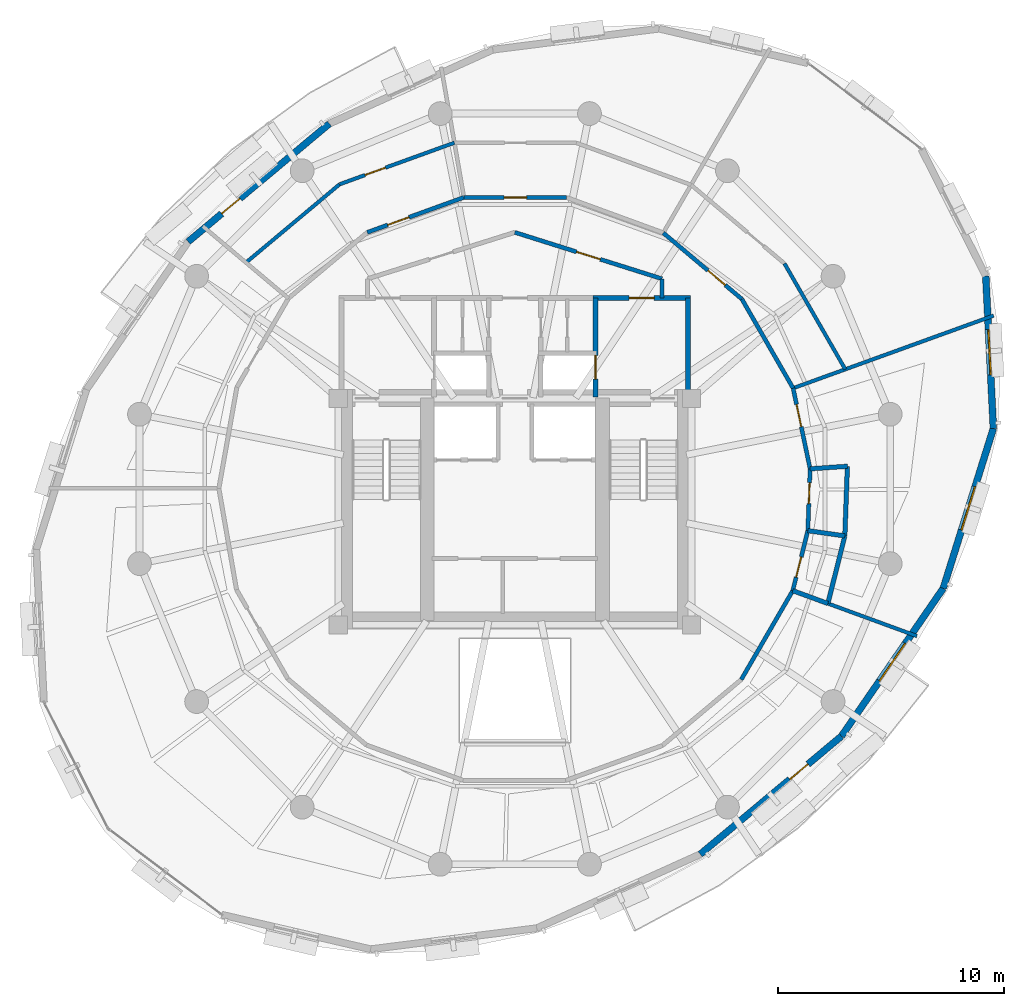
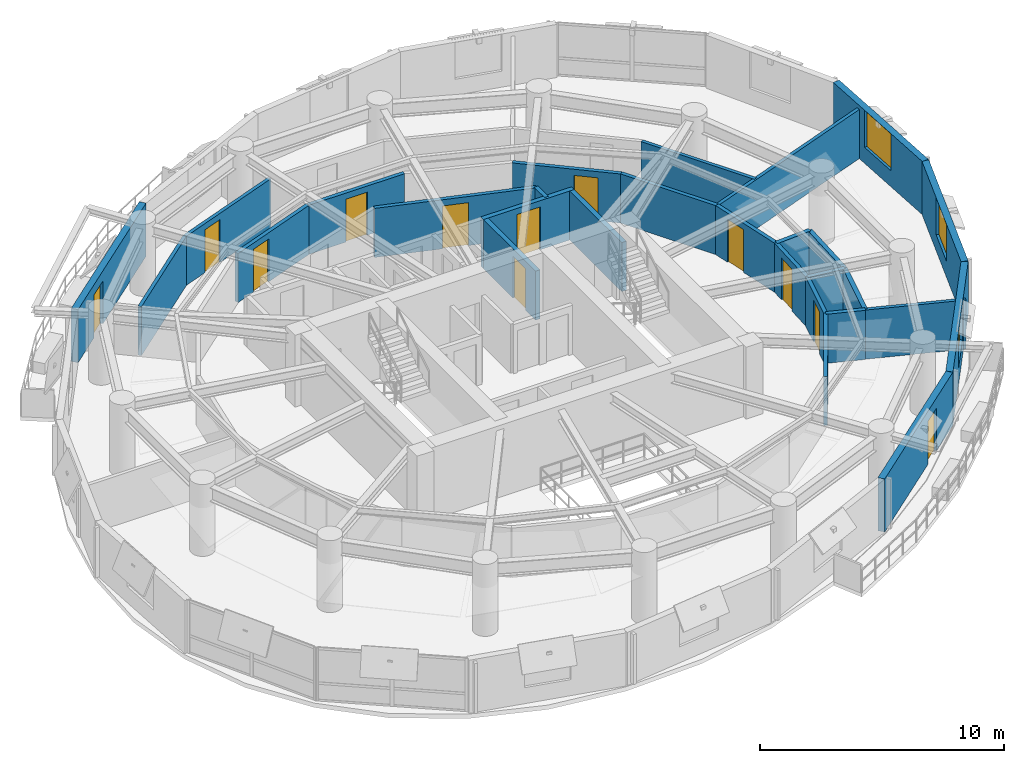
# One storey, part 9 of 12: 28 walls, 12 doors, 3 windows, 15 openings.
"""IFC4 building model written with IfcOpenShell, lengths in metres."""

import ifcopenshell
import ifcopenshell.guid

model = None  # the IFC model being written
_history = None  # IfcOwnerHistory: only IFC2X3 demands one
_inside = {}  # id of a spatial element -> (the spatial element, [elements in it])
_under = {}  # id of a project, library or spatial element -> (it, [spatial elements below it])
_declared = {}  # id of a project -> (the project, [libraries it declares])
_typed = {}  # id of a type object -> (the type object, [elements of that type])
_made_of = {}  # id of a material, layer set ... -> (it, [elements and type objects made of it])


def new_model(schema):
    """Start an empty IFC model of exactly this schema.

    Asked for "IFC4X3", IfcOpenShell would pick the latest addendum, in which some entities
    have other attributes; the version numbers below select the first issue.
    IFC2X3 requires an IfcOwnerHistory on every rooted entity: one is made here for all.
    """
    global model, _history
    if schema == "IFC4X3":
        model = ifcopenshell.file(schema_version=(4, 3, 0, 0))
    else:
        model = ifcopenshell.file(schema=schema)
    _inside.clear()
    _under.clear()
    _declared.clear()
    _typed.clear()
    _made_of.clear()
    _history = None
    if model.schema == "IFC2X3":
        org = make("IfcOrganization", Name="unknown")
        user = make(
            "IfcPersonAndOrganization",
            ThePerson=make("IfcPerson", FamilyName="unknown"),
            TheOrganization=org,
        )
        app = make(
            "IfcApplication",
            ApplicationDeveloper=org,
            Version="unknown",
            ApplicationFullName="unknown",
            ApplicationIdentifier="unknown",
        )
        _history = make(
            "IfcOwnerHistory",
            OwningUser=user,
            OwningApplication=app,
            ChangeAction="ADDED",
            CreationDate=0,
        )
    return model


def make(cls, **values):
    """One entity of the class cls with the attributes given. An attribute that is None is left unset."""
    return model.create_entity(
        cls, **{name: value for name, value in values.items() if value is not None}
    )


def rooted(cls, **values):
    """An entity with a GlobalId (a new one), such as an element, a storey or a relation."""
    return make(cls, GlobalId=ifcopenshell.guid.new(), OwnerHistory=_history, **values)


def si_unit(unit_type, name, prefix=None):
    """IfcSIUnit, for example si_unit("LENGTHUNIT", "METRE", prefix="MILLI")."""
    return make("IfcSIUnit", UnitType=unit_type, Prefix=prefix, Name=name)


def assignment(units):
    """IfcUnitAssignment: the units of a project."""
    return None if units is None else make("IfcUnitAssignment", Units=units)


def point(xyz):
    """IfcCartesianPoint."""
    return None if xyz is None else make("IfcCartesianPoint", Coordinates=xyz)


def direction(xyz):
    """IfcDirection."""
    return None if xyz is None else make("IfcDirection", DirectionRatios=xyz)


def frame(location, z_axis=None, x_axis=None):
    """IfcAxis2Placement3D, a coordinate frame: its origin and axes. An axis left out is left unset."""
    return make(
        "IfcAxis2Placement3D",
        Location=point(location),
        Axis=direction(z_axis),
        RefDirection=direction(x_axis),
    )


def frame_2d(location, x_axis=None):
    """IfcAxis2Placement2D, a coordinate frame in the plane: its origin and x axis."""
    return make(
        "IfcAxis2Placement2D", Location=point(location), RefDirection=direction(x_axis)
    )


def origin():
    """The frame at (0, 0, 0) with its axes left unset."""
    return frame((0.0, 0.0, 0.0))


def place(relative_to, where):
    """IfcLocalPlacement: puts the frame where relative to a parent placement (None: the world)."""
    return make(
        "IfcLocalPlacement", PlacementRelTo=relative_to, RelativePlacement=where
    )


def context(
    kind, dimensions, precision=None, world=None, true_north=None, identifier=None
):
    """IfcGeometricRepresentationContext, for example the 3D "Model" context."""
    return make(
        "IfcGeometricRepresentationContext",
        ContextIdentifier=identifier,
        ContextType=kind,
        CoordinateSpaceDimension=dimensions,
        Precision=precision,
        WorldCoordinateSystem=world,
        TrueNorth=true_north,
    )


def subcontext(parent, identifier, kind, view, scale=None):
    """IfcGeometricRepresentationSubContext, for example "Body" below "Model"."""
    return make(
        "IfcGeometricRepresentationSubContext",
        ContextIdentifier=identifier,
        ContextType=kind,
        ParentContext=parent,
        TargetScale=scale,
        TargetView=view,
    )


def project(units=None, contexts=None):
    """IfcProject with its units and contexts."""
    return rooted(
        "IfcProject",
        Name="project",
        RepresentationContexts=contexts,
        UnitsInContext=assignment(units),
    )


def spatial(cls, under=None, at=None, **own):
    """A site, building, storey or space (cls), placed at a placement, below another one or the project."""
    s = rooted(cls, ObjectPlacement=at, **own)
    if under is not None:
        _under.setdefault(under.id(), (under, []))[1].append(s)
    return s


def profile(cls, at=None, kind="AREA", **sizes):
    """A parametric profile (cls). Its sizes go by their IFC names, for example OverallWidth=200.0."""
    return make(cls, ProfileType=kind, Position=at, **sizes)


def rectangle(**sizes):
    """IfcRectangleProfileDef."""
    return profile("IfcRectangleProfileDef", **sizes)


def extrude(swept, where, along, depth):
    """IfcExtrudedAreaSolid: the profile swept, set in the frame where, extruded along a direction by depth."""
    return make(
        "IfcExtrudedAreaSolid",
        SweptArea=swept,
        Position=where,
        ExtrudedDirection=direction(along),
        Depth=depth,
    )


def shape(context_of_items, identifier, shape_type, items):
    """IfcShapeRepresentation: the items that make up one representation, for example the "Body"."""
    return make(
        "IfcShapeRepresentation",
        ContextOfItems=context_of_items,
        RepresentationIdentifier=identifier,
        RepresentationType=shape_type,
        Items=items,
    )


def material(Name=None, Category=None):
    """IfcMaterial."""
    return make("IfcMaterial", Name=Name, Category=Category)


def layer(
    of_material, thickness, ventilated=None, Name=None, Category=None, Priority=None
):
    """IfcMaterialLayer: one layer of a wall or slab, of a material (None: an air gap)."""
    return make(
        "IfcMaterialLayer",
        Material=of_material,
        LayerThickness=thickness,
        IsVentilated=ventilated,
        Name=Name,
        Category=Category,
        Priority=Priority,
    )


def layer_set(layers, Name=None):
    """IfcMaterialLayerSet."""
    return make("IfcMaterialLayerSet", MaterialLayers=layers, LayerSetName=Name)


def made_of(thing, what):
    """Note that an element or type object is made of a material, layer set ...; save() writes the relation."""
    if what is not None:
        _made_of.setdefault(what.id(), (what, []))[1].append(thing)
    return thing


def type_object(cls, material=None, **own):
    """A type object (cls), such as IfcWallType, which elements share."""
    return made_of(rooted(cls, **own), material)


def element(
    cls,
    number,
    at=None,
    inside=None,
    cuts=None,
    type_object=None,
    material=None,
    context=None,
    identifier="Body",
    shape_type=None,
    held_by="IfcProductDefinitionShape",
    body=None,
    shapes=None,
    **own,
):
    """One element of the class cls, such as IfcWall. Its Tag is "e" and its number.

    at: its placement. inside: the storey or other place that contains it. cuts: it is an
    opening in that element (IfcRelVoidsElement). A single representation is given by context,
    identifier, shape_type and body (its items); several are given by shapes. held_by: the class
    of the entity that holds the representations. save() writes the other relations.
    """
    e = rooted(cls, Tag="e%d" % number, ObjectPlacement=at, **own)
    if body is not None:
        shapes = [shape(context, identifier, shape_type, body)]
    if shapes is not None:
        e.Representation = make(held_by, Representations=shapes)
    if inside is not None:
        _inside.setdefault(inside.id(), (inside, []))[1].append(e)
    if cuts is not None:
        rooted(
            "IfcRelVoidsElement", RelatingBuildingElement=cuts, RelatedOpeningElement=e
        )
    if type_object is not None:
        _typed.setdefault(type_object.id(), (type_object, []))[1].append(e)
    return made_of(e, material)


def fill(opening, filler):
    """IfcRelFillsElement: the door or window that sits in an opening."""
    return rooted(
        "IfcRelFillsElement",
        RelatingOpeningElement=opening,
        RelatedBuildingElement=filler,
    )


def aggregate(whole, parts):
    """IfcRelAggregates: a whole, such as a stair, and the parts it consists of."""
    return rooted("IfcRelAggregates", RelatingObject=whole, RelatedObjects=parts)


def save(model, path):
    """Write the relations noted so far, then the file.

    IfcRelAggregates (storeys below a building ...), IfcRelContainedInSpatialStructure (elements
    in a storey), IfcRelDefinesByType, IfcRelAssociatesMaterial and IfcRelDeclares: one each for
    every whole, place, type object, material and project.
    """
    for whole, parts in _under.values():
        aggregate(whole, parts)
    for where, things in _inside.values():
        rooted(
            "IfcRelContainedInSpatialStructure",
            RelatedElements=things,
            RelatingStructure=where,
        )
    for kind, things in _typed.values():
        rooted("IfcRelDefinesByType", RelatedObjects=things, RelatingType=kind)
    for what, things in _made_of.values():
        rooted("IfcRelAssociatesMaterial", RelatedObjects=things, RelatingMaterial=what)
    for by, libraries in _declared.values():
        rooted("IfcRelDeclares", RelatingContext=by, RelatedDefinitions=libraries)
    model.write(path)


model = new_model("IFC4")

# Units and contexts
model_context = context("Model", 3, precision=1e-05, world=origin(), true_north=direction((0.0, 1.0)))
body_context = subcontext(model_context, "Body", "Model", "MODEL_VIEW")
ifc_project = project(units=[si_unit("LENGTHUNIT", "METRE"), si_unit("AREAUNIT", "SQUARE_METRE"), si_unit("VOLUMEUNIT", "CUBIC_METRE"), si_unit("PLANEANGLEUNIT", "RADIAN"), si_unit("MASSUNIT", "GRAM", prefix="KILO"), si_unit("THERMODYNAMICTEMPERATUREUNIT", "KELVIN"), si_unit("POWERUNIT", "WATT")], contexts=[model_context])

# Site, building, storey
site_placement = place(None, origin())
site = spatial("IfcSite", under=ifc_project, at=site_placement, CompositionType="ELEMENT")
building_placement = place(site_placement, origin())
building = spatial("IfcBuilding", under=site, at=building_placement, Name="Ocrelia Relay Tower", CompositionType="ELEMENT")
storey_placement = place(building_placement, frame((0.0, 0.0, 198.800048828125)))
storey = spatial("IfcBuildingStorey", under=building, at=storey_placement, Name="L48", CompositionType="ELEMENT", Elevation=198.800048828125)

# Wall
ifc_material_1 = material(Name="Gypsum Fireboard Partition EI60", Category="gypsum")
ifc_layer_1 = layer(ifc_material_1, 0.179931640625, Name="Gypsum Fireboard Partition EI60")
ifc_layer_set_1 = layer_set([ifc_layer_1], Name="Gypsum Fireboard Partition EI60")
wall_type_1 = type_object("IfcWallType", Name="W-CORR-EI60-180", PredefinedType="PARTITIONING", material=ifc_layer_set_1)
wall_1_placement = place(storey_placement, frame((40.5, 35.280029296875, 0.0), z_axis=(0.0, 0.0, 1.0), x_axis=(0.0, -1.0, 0.0)))
element("IfcWall", 1, at=wall_1_placement, inside=storey, type_object=wall_type_1, Name="L48 Smoke Lobby East Return", PredefinedType="PARTITIONING", context=body_context, shape_type="SweptSolid", body=[
    extrude(rectangle(XDim=0.85009765625, YDim=0.179931640625, at=frame_2d((0.425048828125, 0.0))), origin(), (0.0, 0.0, 1.0), 2.4599609375),
])

# Wall, opening, door
wall_2_placement = place(storey_placement, frame((34.0, 37.330078125, 0.0), z_axis=(0.0, 0.0, 1.0), x_axis=(0.953691418528, -0.300786765376, 0.0)))
wall_2 = element("IfcWall", 2, at=wall_2_placement, inside=storey, type_object=wall_type_1, Name="L48 North Smoke Lobby E Screen Wall", PredefinedType="PARTITIONING", context=body_context, shape_type="SweptSolid", body=[
    extrude(rectangle(XDim=6.815673828125, YDim=0.179931640625, at=frame_2d((3.40771484375, 0.0))), origin(), (0.0, 0.0, 1.0), 2.4599609375),
])
opening_1_placement = place(wall_2_placement, frame((2.85791015625, 0.0, 0.0)))
opening_1 = element("IfcOpeningElement", 3, at=opening_1_placement, cuts=wall_2, Name="Opening D-FD60", PredefinedType="OPENING", context=body_context, shape_type="SweptSolid", body=[
    extrude(rectangle(XDim=1.10009765625, YDim=2.14990234375, at=frame_2d((0.550048828125, 1.074951171875))), frame((0.0, 0.10009765625, 0.0), z_axis=(0.0, -1.0, 0.0), x_axis=(1.0, 0.0, 0.0)), (0.0, 0.0, 1.0), 0.199951171875),
])
ifc_material_2 = material(Name="Timber-core 60-min acoustic fire door", Category="wood")
door_type_1 = type_object("IfcDoorType", Name="DR-LOBBY-FD60-1100", OperationType="NOTDEFINED", PredefinedType="DOOR", material=ifc_material_2)
door_1_placement = place(opening_1_placement, origin())
door_1 = element("IfcDoor", 4, at=door_1_placement, inside=storey, type_object=door_type_1, Name="L48 North Smoke Lobby E Fire Door", OperationType="SINGLE_SWING_RIGHT", OverallHeight=2.14990234375, OverallWidth=1.10009765625, PredefinedType="DOOR", context=body_context, shape_type="SweptSolid", body=[
    extrude(rectangle(XDim=1.10009765625, YDim=2.14990234375, at=frame_2d((0.550048828125, 1.074951171875))), frame((0.0, 0.02490234375, 0.0), z_axis=(0.0, -1.0, 0.0), x_axis=(1.0, 0.0, 0.0)), (0.0, 0.0, 1.0), 0.050048828125),
])
fill(opening_1, door_1)

wall_3_placement = place(storey_placement, frame((46.27392578125, 21.50830078125, 0.0), z_axis=(0.0, 0.0, 1.0), x_axis=(0.243649676588, 0.96986330743, 0.0)))
wall_3 = element("IfcWall", 5, at=wall_3_placement, inside=storey, type_object=wall_type_1, Name="L48 Staff Toilet Corridor Wall", PredefinedType="PARTITIONING", context=body_context, shape_type="SweptSolid", body=[
    extrude(rectangle(XDim=2.732421875, YDim=0.179931640625, at=frame_2d((1.3662109375, 0.0))), origin(), (0.0, 0.0, 1.0), 2.4599609375),
])
opening_2_placement = place(wall_3_placement, frame((0.61572265625, 0.0, 0.0)))
opening_2 = element("IfcOpeningElement", 6, at=opening_2_placement, cuts=wall_3, Name="Opening D-WC92", PredefinedType="OPENING", context=body_context, shape_type="SweptSolid", body=[
    extrude(rectangle(XDim=0.919921875, YDim=2.10009765625, at=frame_2d((0.4599609375, 1.050048828125))), frame((0.0, 0.10009765625, 0.0), z_axis=(0.0, -1.0, 0.0), x_axis=(1.0, 0.0, 0.0)), (0.0, 0.0, 1.0), 0.199951171875),
])
ifc_material_3 = material(Name="Laminate washroom door", Category="wood")
door_type_2 = type_object("IfcDoorType", Name="DR-WC-920", OperationType="NOTDEFINED", PredefinedType="DOOR", material=ifc_material_3)
door_2_placement = place(opening_2_placement, origin())
door_2 = element("IfcDoor", 7, at=door_2_placement, inside=storey, type_object=door_type_2, Name="L48 Staff Toilet Door", OperationType="SINGLE_SWING_LEFT", OverallHeight=2.10009765625, OverallWidth=0.919921875, PredefinedType="DOOR", context=body_context, shape_type="SweptSolid", body=[
    extrude(rectangle(XDim=0.919921875, YDim=2.10009765625, at=frame_2d((0.4599609375, 1.050048828125))), frame((0.0, 0.02490234375, 0.0), z_axis=(0.0, -1.0, 0.0), x_axis=(1.0, 0.0, 0.0)), (0.0, 0.0, 1.0), 0.050048828125),
])
fill(opening_2, door_2)

wall_4_placement = place(storey_placement, frame((46.939697265625, 24.158447265625, 0.0), z_axis=(0.0, 0.0, 1.0), x_axis=(0.036634904667, 0.999328716569, 0.0)))
wall_4 = element("IfcWall", 8, at=wall_4_placement, inside=storey, type_object=wall_type_1, Name="L48 Accessible Toilet Corridor Wall", PredefinedType="PARTITIONING", context=body_context, shape_type="SweptSolid", body=[
    extrude(rectangle(XDim=2.732421875, YDim=0.179931640625, at=frame_2d((1.3662109375, 0.0))), origin(), (0.0, 0.0, 1.0), 2.4599609375),
])
opening_3_placement = place(wall_4_placement, frame((1.19677734375, 0.0, 0.0)))
opening_3 = element("IfcOpeningElement", 9, at=opening_3_placement, cuts=wall_4, Name="Opening D-WC92", PredefinedType="OPENING", context=body_context, shape_type="SweptSolid", body=[
    extrude(rectangle(XDim=0.919921875, YDim=2.10009765625, at=frame_2d((0.4599609375, 1.050048828125))), frame((0.0, 0.10009765625, 0.0), z_axis=(0.0, -1.0, 0.0), x_axis=(1.0, 0.0, 0.0)), (0.0, 0.0, 1.0), 0.199951171875),
])
door_3_placement = place(opening_3_placement, origin())
door_3 = element("IfcDoor", 10, at=door_3_placement, inside=storey, type_object=door_type_2, Name="L48 Accessible Toilet Door", OperationType="SINGLE_SWING_RIGHT", OverallHeight=2.10009765625, OverallWidth=0.919921875, PredefinedType="DOOR", context=body_context, shape_type="SweptSolid", body=[
    extrude(rectangle(XDim=0.919921875, YDim=2.10009765625, at=frame_2d((0.4599609375, 1.050048828125))), frame((0.0, 0.02490234375, 0.0), z_axis=(0.0, -1.0, 0.0), x_axis=(1.0, 0.0, 0.0)), (0.0, 0.0, 1.0), 0.050048828125),
])
fill(opening_3, door_3)

wall_5_placement = place(storey_placement, frame((47.039794921875, 26.888916015625, 0.0), z_axis=(0.0, 0.0, 1.0), x_axis=(-0.206223549204, 0.978504904308, 0.0)))
wall_5 = element("IfcWall", 11, at=wall_5_placement, inside=storey, type_object=wall_type_1, Name="L48 Spectrum Operations Office A Corridor Partition 1", PredefinedType="PARTITIONING", context=body_context, shape_type="SweptSolid", body=[
    extrude(rectangle(XDim=3.637939453125, YDim=0.179931640625, at=frame_2d((1.81884765625, 0.0))), origin(), (0.0, 0.0, 1.0), 2.4599609375),
])
opening_4_placement = place(wall_5_placement, frame((1.903564453125, 0.0, 0.0)))
opening_4 = element("IfcOpeningElement", 12, at=opening_4_placement, cuts=wall_5, Name="Opening D-RM100", PredefinedType="OPENING", context=body_context, shape_type="SweptSolid", body=[
    extrude(rectangle(XDim=1.0, YDim=2.14990234375, at=frame_2d((0.5, 1.074951171875))), frame((0.0, 0.10009765625, 0.0), z_axis=(0.0, -1.0, 0.0), x_axis=(1.0, 0.0, 0.0)), (0.0, 0.0, 1.0), 0.199951171875),
])
ifc_material_4 = material(Name="Acoustic oak veneer fire door", Category="wood")
door_type_3 = type_object("IfcDoorType", Name="DR-ROOM-FD60-1000", OperationType="NOTDEFINED", PredefinedType="DOOR", material=ifc_material_4)
door_4_placement = place(opening_4_placement, origin())
door_4 = element("IfcDoor", 13, at=door_4_placement, inside=storey, type_object=door_type_3, Name="L48 Spectrum Operations Office A Entrance Door", OperationType="SINGLE_SWING_LEFT", OverallHeight=2.14990234375, OverallWidth=1.0, PredefinedType="DOOR", context=body_context, shape_type="SweptSolid", body=[
    extrude(rectangle(XDim=1.0, YDim=2.14990234375, at=frame_2d((0.5, 1.074951171875))), frame((0.0, 0.02490234375, 0.0), z_axis=(0.0, -1.0, 0.0), x_axis=(1.0, 0.0, 0.0)), (0.0, 0.0, 1.0), 0.050048828125),
])
fill(opening_4, door_4)

# Wall
wall_6_placement = place(storey_placement, frame((46.28955078125, 30.44873046875, 0.0), z_axis=(0.0, 0.0, 1.0), x_axis=(-0.498477187347, 0.866902816753, 0.0)))
element("IfcWall", 14, at=wall_6_placement, inside=storey, type_object=wall_type_1, Name="L48 Telemetry Office B Corridor Partition 1", PredefinedType="PARTITIONING", context=body_context, shape_type="SweptSolid", body=[
    extrude(rectangle(XDim=4.539306640625, YDim=0.179931640625, at=frame_2d((2.26953125, 0.0))), origin(), (0.0, 0.0, 1.0), 2.4599609375),
])

# Wall, opening, door
wall_7_placement = place(storey_placement, frame((44.02685546875, 34.3837890625, 0.0), z_axis=(0.0, 0.0, 1.0), x_axis=(-0.764922355877, 0.64412249571, 0.0)))
wall_7 = element("IfcWall", 15, at=wall_7_placement, inside=storey, type_object=wall_type_1, Name="L48 Telemetry Office B Corridor Partition 2", PredefinedType="PARTITIONING", context=body_context, shape_type="SweptSolid", body=[
    extrude(rectangle(XDim=4.539306640625, YDim=0.179931640625, at=frame_2d((2.26953125, 0.0))), origin(), (0.0, 0.0, 1.0), 2.4599609375),
])
opening_5_placement = place(wall_7_placement, frame((0.959716796875, 0.0, 0.0)))
opening_5 = element("IfcOpeningElement", 16, at=opening_5_placement, cuts=wall_7, Name="Opening D-RM100", PredefinedType="OPENING", context=body_context, shape_type="SweptSolid", body=[
    extrude(rectangle(XDim=1.0, YDim=2.14990234375, at=frame_2d((0.5, 1.074951171875))), frame((0.0, 0.10009765625, 0.0), z_axis=(0.0, -1.0, 0.0), x_axis=(1.0, 0.0, 0.0)), (0.0, 0.0, 1.0), 0.199951171875),
])
door_5_placement = place(opening_5_placement, origin())
door_5 = element("IfcDoor", 17, at=door_5_placement, inside=storey, type_object=door_type_3, Name="L48 Telemetry Office B Entrance Door", OperationType="SINGLE_SWING_RIGHT", OverallHeight=2.14990234375, OverallWidth=1.0, PredefinedType="DOOR", context=body_context, shape_type="SweptSolid", body=[
    extrude(rectangle(XDim=1.0, YDim=2.14990234375, at=frame_2d((0.5, 1.074951171875))), frame((0.0, 0.02490234375, 0.0), z_axis=(0.0, -1.0, 0.0), x_axis=(1.0, 0.0, 0.0)), (0.0, 0.0, 1.0), 0.050048828125),
])
fill(opening_5, door_5)

wall_8_placement = place(storey_placement, frame((36.2919921875, 38.867431640625, 0.0), z_axis=(0.0, 0.0, 1.0), x_axis=(-0.999998424768, 0.001774954175, 0.0)))
wall_8 = element("IfcWall", 18, at=wall_8_placement, inside=storey, type_object=wall_type_1, Name="L48 Security Office C Corridor Partition 2", PredefinedType="PARTITIONING", context=body_context, shape_type="SweptSolid", body=[
    extrude(rectangle(XDim=4.5390625, YDim=0.179931640625, at=frame_2d((2.26953125, 0.0))), origin(), (0.0, 0.0, 1.0), 2.4599609375),
])
opening_6_placement = place(wall_8_placement, frame((1.76953125, 0.0, 0.0)))
opening_6 = element("IfcOpeningElement", 19, at=opening_6_placement, cuts=wall_8, Name="Opening D-RM100", PredefinedType="OPENING", context=body_context, shape_type="SweptSolid", body=[
    extrude(rectangle(XDim=1.0, YDim=2.14990234375, at=frame_2d((0.5, 1.074951171875))), frame((0.0, 0.10009765625, 0.0), z_axis=(0.0, -1.0, 0.0), x_axis=(1.0, 0.0, 0.0)), (0.0, 0.0, 1.0), 0.199951171875),
])
door_6_placement = place(opening_6_placement, origin())
door_6 = element("IfcDoor", 20, at=door_6_placement, inside=storey, type_object=door_type_3, Name="L48 Security Office C Entrance Door", OperationType="SINGLE_SWING_RIGHT", OverallHeight=2.14990234375, OverallWidth=1.0, PredefinedType="DOOR", context=body_context, shape_type="SweptSolid", body=[
    extrude(rectangle(XDim=1.0, YDim=2.14990234375, at=frame_2d((0.5, 1.074951171875))), frame((0.0, 0.02490234375, 0.0), z_axis=(0.0, -1.0, 0.0), x_axis=(1.0, 0.0, 0.0)), (0.0, 0.0, 1.0), 0.050048828125),
])
fill(opening_6, door_6)

wall_9_placement = place(storey_placement, frame((31.7529296875, 38.87548828125, 0.0), z_axis=(0.0, 0.0, 1.0), x_axis=(-0.940277723182, -0.340408289099, 0.0)))
wall_9 = element("IfcWall", 21, at=wall_9_placement, inside=storey, type_object=wall_type_1, Name="L48 Routing Office D Corridor Partition 1", PredefinedType="PARTITIONING", context=body_context, shape_type="SweptSolid", body=[
    extrude(rectangle(XDim=4.5390625, YDim=0.179931640625, at=frame_2d((2.26953125, 0.0))), origin(), (0.0, 0.0, 1.0), 2.4599609375),
])
opening_7_placement = place(wall_9_placement, frame((2.579345703125, 0.0, 0.0)))
opening_7 = element("IfcOpeningElement", 22, at=opening_7_placement, cuts=wall_9, Name="Opening D-RM100", PredefinedType="OPENING", context=body_context, shape_type="SweptSolid", body=[
    extrude(rectangle(XDim=1.0, YDim=2.14990234375, at=frame_2d((0.5, 1.074951171875))), frame((0.0, 0.10009765625, 0.0), z_axis=(0.0, -1.0, 0.0), x_axis=(1.0, 0.0, 0.0)), (0.0, 0.0, 1.0), 0.199951171875),
])
door_7_placement = place(opening_7_placement, origin())
door_7 = element("IfcDoor", 23, at=door_7_placement, inside=storey, type_object=door_type_3, Name="L48 Routing Office D Entrance Door", OperationType="SINGLE_SWING_RIGHT", OverallHeight=2.14990234375, OverallWidth=1.0, PredefinedType="DOOR", context=body_context, shape_type="SweptSolid", body=[
    extrude(rectangle(XDim=1.0, YDim=2.14990234375, at=frame_2d((0.5, 1.074951171875))), frame((0.0, 0.02490234375, 0.0), z_axis=(0.0, -1.0, 0.0), x_axis=(1.0, 0.0, 0.0)), (0.0, 0.0, 1.0), 0.050048828125),
])
fill(opening_7, door_7)

# Wall
wall_10_placement = place(storey_placement, frame((43.99755859375, 17.581298828125, 0.0), z_axis=(0.0, 0.0, 1.0), x_axis=(0.501504764034, 0.865154883042, 0.0)))
element("IfcWall", 24, at=wall_10_placement, inside=storey, type_object=wall_type_1, Name="L48 Monitoring Office F Corridor Partition 8", PredefinedType="PARTITIONING", context=body_context, shape_type="SweptSolid", body=[
    extrude(rectangle(XDim=4.5390625, YDim=0.179931640625, at=frame_2d((2.26953125, 0.0))), origin(), (0.0, 0.0, 1.0), 2.4599609375),
])

# Wall, opening, door
ifc_material_5 = material(Name="Precast concrete C40/50 with oxide terracotta", Category="masonry")
ifc_layer_2 = layer(ifc_material_5, 0.300048828125, Name="Precast concrete C40/50 with oxide terracotta")
ifc_layer_set_2 = layer_set([ifc_layer_2], Name="Precast concrete C40/50 with oxide terracotta")
wall_type_2 = type_object("IfcWallType", Name="W-EXT-TERR-300", PredefinedType="SOLIDWALL", material=ifc_layer_set_2)
wall_11_placement = place(storey_placement, frame((25.809814453125, 42.130126953125, 0.0), z_axis=(0.0, 0.0, 1.0), x_axis=(-0.767168792304, -0.641445277569, 0.0)))
wall_11 = element("IfcWall", 25, at=wall_11_placement, inside=storey, type_object=wall_type_2, Name="L48 Oxide Terracotta Facade Wall 05", PredefinedType="SOLIDWALL", context=body_context, shape_type="SweptSolid", body=[
    extrude(rectangle(XDim=8.126708984375, YDim=0.300048828125, at=frame_2d((4.0634765625, 0.0))), origin(), (0.0, 0.0, 1.0), 2.659912109375),
])
opening_8_placement = place(wall_11_placement, frame((5.14990234375, 0.0, 0.0)))
opening_8 = element("IfcOpeningElement", 26, at=opening_8_placement, cuts=wall_11, Name="Opening DB-105", PredefinedType="OPENING", context=body_context, shape_type="SweptSolid", body=[
    extrude(rectangle(XDim=1.050048828125, YDim=2.14990234375, at=frame_2d((0.52490234375, 1.074951171875))), frame((0.0, 0.16015625, 0.0), z_axis=(0.0, -1.0, 0.0), x_axis=(1.0, 0.0, 0.0)), (0.0, 0.0, 1.0), 0.320068359375),
])
ifc_material_6 = material(Name="Thermally broken aluminium and clear glass", Category="aluminium")
door_type_4 = type_object("IfcDoorType", Name="DR-BALC-1050", OperationType="NOTDEFINED", PredefinedType="DOOR", material=ifc_material_6)
door_8_placement = place(opening_8_placement, origin())
door_8 = element("IfcDoor", 27, at=door_8_placement, inside=storey, type_object=door_type_4, Name="L48 Planted Loggia Balcony Door B1", OperationType="SINGLE_SWING_LEFT", OverallHeight=2.14990234375, OverallWidth=1.050048828125, PredefinedType="DOOR", context=body_context, shape_type="SweptSolid", body=[
    extrude(rectangle(XDim=1.050048828125, YDim=2.14990234375, at=frame_2d((0.52490234375, 1.074951171875))), frame((0.0, 0.02490234375, 0.0), z_axis=(0.0, -1.0, 0.0), x_axis=(1.0, 0.0, 0.0)), (0.0, 0.0, 1.0), 0.050048828125),
])
fill(opening_8, door_8)

wall_12_placement = place(storey_placement, frame((42.190185546875, 9.869873046875, 0.0), z_axis=(0.0, 0.0, 1.0), x_axis=(0.767168792304, 0.641445277569, 0.0)))
wall_12 = element("IfcWall", 28, at=wall_12_placement, inside=storey, type_object=wall_type_2, Name="L48 Oxide Terracotta Facade Wall 14", PredefinedType="SOLIDWALL", context=body_context, shape_type="SweptSolid", body=[
    extrude(rectangle(XDim=8.126708984375, YDim=0.300048828125, at=frame_2d((4.0634765625, 0.0))), origin(), (0.0, 0.0, 1.0), 2.659912109375),
])
opening_9_placement = place(wall_12_placement, frame((5.14990234375, 0.0, 0.0)))
opening_9 = element("IfcOpeningElement", 29, at=opening_9_placement, cuts=wall_12, Name="Opening DB-105", PredefinedType="OPENING", context=body_context, shape_type="SweptSolid", body=[
    extrude(rectangle(XDim=1.050048828125, YDim=2.14990234375, at=frame_2d((0.52490234375, 1.074951171875))), frame((0.0, 0.16015625, 0.0), z_axis=(0.0, -1.0, 0.0), x_axis=(1.0, 0.0, 0.0)), (0.0, 0.0, 1.0), 0.320068359375),
])
door_9_placement = place(opening_9_placement, origin())
door_9 = element("IfcDoor", 30, at=door_9_placement, inside=storey, type_object=door_type_4, Name="L48 Planted Loggia Balcony Door B2", OperationType="SINGLE_SWING_LEFT", OverallHeight=2.14990234375, OverallWidth=1.050048828125, PredefinedType="DOOR", context=body_context, shape_type="SweptSolid", body=[
    extrude(rectangle(XDim=1.050048828125, YDim=2.14990234375, at=frame_2d((0.52490234375, 1.074951171875))), frame((0.0, 0.02490234375, 0.0), z_axis=(0.0, -1.0, 0.0), x_axis=(1.0, 0.0, 0.0)), (0.0, 0.0, 1.0), 0.050048828125),
])
fill(opening_9, door_9)

# Wall, opening, window
wall_13_placement = place(storey_placement, frame((48.4248046875, 15.082763671875, 0.0), z_axis=(0.0, 0.0, 1.0), x_axis=(0.566991439019, 0.823723684302, 0.0)))
wall_13 = element("IfcWall", 31, at=wall_13_placement, inside=storey, type_object=wall_type_2, Name="L48 Oxide Terracotta Facade Wall 15", PredefinedType="SOLIDWALL", context=body_context, shape_type="SweptSolid", body=[
    extrude(rectangle(XDim=7.92724609375, YDim=0.300048828125, at=frame_2d((3.963623046875, 0.0))), origin(), (0.0, 0.0, 1.0), 2.659912109375),
])
opening_10_placement = place(wall_13_placement, frame((2.964111328125, 0.0, 0.800048828125)))
opening_10 = element("IfcOpeningElement", 32, at=opening_10_placement, cuts=wall_13, Name="Opening W-03", PredefinedType="OPENING", context=body_context, shape_type="SweptSolid", body=[
    extrude(rectangle(XDim=2.0, YDim=1.85009765625, at=frame_2d((1.0, 0.925048828125))), frame((0.0, 0.16015625, 0.0), z_axis=(0.0, -1.0, 0.0), x_axis=(1.0, 0.0, 0.0)), (0.0, 0.0, 1.0), 0.320068359375),
])
ifc_material_7 = material(Name="Clear double-glazed low-E glass", Category="glass")
window_type = type_object("IfcWindowType", Name="WIN-Z3-2000x2200", PartitioningType="DOUBLE_PANEL_VERTICAL", PredefinedType="WINDOW", material=ifc_material_7)
window_1_placement = place(opening_10_placement, origin())
window_1 = element("IfcWindow", 33, at=window_1_placement, inside=storey, type_object=window_type, Name="L48 Facade Module Window 15", OverallHeight=1.85009765625, OverallWidth=2.0, PartitioningType="SINGLE_PANEL", PredefinedType="WINDOW", context=body_context, shape_type="SweptSolid", body=[
    extrude(rectangle(XDim=2.0, YDim=1.85009765625, at=frame_2d((1.0, 0.925048828125))), frame((0.0, 0.030029296875, 0.0), z_axis=(0.0, -1.0, 0.0), x_axis=(1.0, 0.0, 0.0)), (0.0, 0.0, 1.0), 0.06005859375),
])
fill(opening_10, window_1)

wall_14_placement = place(storey_placement, frame((52.91943359375, 21.612548828125, 0.0), z_axis=(0.0, 0.0, 1.0), x_axis=(0.299107357188, 0.954219465781, 0.0)))
wall_14 = element("IfcWall", 34, at=wall_14_placement, inside=storey, type_object=wall_type_2, Name="L48 Oxide Terracotta Facade Wall 16", PredefinedType="SOLIDWALL", context=body_context, shape_type="SweptSolid", body=[
    extrude(rectangle(XDim=7.3974609375, YDim=0.300048828125, at=frame_2d((3.69873046875, 0.0))), origin(), (0.0, 0.0, 1.0), 2.659912109375),
])
opening_11_placement = place(wall_14_placement, frame((2.698974609375, 0.0, 0.800048828125)))
opening_11 = element("IfcOpeningElement", 35, at=opening_11_placement, cuts=wall_14, Name="Opening W-03", PredefinedType="OPENING", context=body_context, shape_type="SweptSolid", body=[
    extrude(rectangle(XDim=2.0, YDim=1.85009765625, at=frame_2d((1.0, 0.925048828125))), frame((0.0, 0.16015625, 0.0), z_axis=(0.0, -1.0, 0.0), x_axis=(1.0, 0.0, 0.0)), (0.0, 0.0, 1.0), 0.320068359375),
])
window_2_placement = place(opening_11_placement, origin())
window_2 = element("IfcWindow", 36, at=window_2_placement, inside=storey, type_object=window_type, Name="L48 Facade Module Window 16", OverallHeight=1.85009765625, OverallWidth=2.0, PartitioningType="SINGLE_PANEL", PredefinedType="WINDOW", context=body_context, shape_type="SweptSolid", body=[
    extrude(rectangle(XDim=2.0, YDim=1.85009765625, at=frame_2d((1.0, 0.925048828125))), frame((0.0, 0.030029296875, 0.0), z_axis=(0.0, -1.0, 0.0), x_axis=(1.0, 0.0, 0.0)), (0.0, 0.0, 1.0), 0.06005859375),
])
fill(opening_11, window_2)

wall_15_placement = place(storey_placement, frame((55.132080078125, 28.67138671875, 0.0), z_axis=(0.0, 0.0, 1.0), x_axis=(-0.049805830219, 0.998758919498, 0.0)))
wall_15 = element("IfcWall", 37, at=wall_15_placement, inside=storey, type_object=wall_type_2, Name="L48 Oxide Terracotta Facade Wall 17", PredefinedType="SOLIDWALL", context=body_context, shape_type="SweptSolid", body=[
    extrude(rectangle(XDim=6.744873046875, YDim=0.300048828125, at=frame_2d((3.37255859375, 0.0))), origin(), (0.0, 0.0, 1.0), 2.659912109375),
])
opening_12_placement = place(wall_15_placement, frame((2.373046875, 0.0, 0.800048828125)))
opening_12 = element("IfcOpeningElement", 38, at=opening_12_placement, cuts=wall_15, Name="Opening W-03", PredefinedType="OPENING", context=body_context, shape_type="SweptSolid", body=[
    extrude(rectangle(XDim=2.0, YDim=1.85009765625, at=frame_2d((1.0, 0.925048828125))), frame((0.0, 0.16015625, 0.0), z_axis=(0.0, -1.0, 0.0), x_axis=(1.0, 0.0, 0.0)), (0.0, 0.0, 1.0), 0.320068359375),
])
window_3_placement = place(opening_12_placement, origin())
window_3 = element("IfcWindow", 39, at=window_3_placement, inside=storey, type_object=window_type, Name="L48 Facade Module Window 17", OverallHeight=1.85009765625, OverallWidth=2.0, PartitioningType="SINGLE_PANEL", PredefinedType="WINDOW", context=body_context, shape_type="SweptSolid", body=[
    extrude(rectangle(XDim=2.0, YDim=1.85009765625, at=frame_2d((1.0, 0.925048828125))), frame((0.0, 0.030029296875, 0.0), z_axis=(0.0, -1.0, 0.0), x_axis=(1.0, 0.0, 0.0)), (0.0, 0.0, 1.0), 0.06005859375),
])
fill(opening_12, window_3)

# Wall, opening, door
ifc_material_8 = material(Name="Concrete C50/60", Category="concrete")
ifc_layer_3 = layer(ifc_material_8, 0.219970703125, Name="Concrete C50/60")
ifc_layer_set_3 = layer_set([ifc_layer_3], Name="Concrete C50/60")
wall_type_3 = type_object("IfcWallType", Name="W-FFL-EI120-220", PredefinedType="SOLIDWALL", material=ifc_layer_set_3)
wall_16_placement = place(storey_placement, frame((37.56005859375, 30.050048828125, 0.0), z_axis=(0.0, 0.0, 1.0), x_axis=(0.0, 1.0, 0.0)))
wall_16 = element("IfcWall", 40, at=wall_16_placement, inside=storey, type_object=wall_type_3, Name="L48 E Fire Service Lift Lobby West Wall", PredefinedType="SOLIDWALL", context=body_context, shape_type="SweptSolid", body=[
    extrude(rectangle(XDim=4.3798828125, YDim=0.219970703125, at=frame_2d((2.18994140625, 0.0))), origin(), (0.0, 0.0, 1.0), 2.4599609375),
])
opening_13_placement = place(wall_16_placement, frame((0.800048828125, 0.0, 0.0)))
opening_13 = element("IfcOpeningElement", 41, at=opening_13_placement, cuts=wall_16, Name="Opening LD-FFL2", PredefinedType="OPENING", context=body_context, shape_type="SweptSolid", body=[
    extrude(rectangle(XDim=1.050048828125, YDim=2.10009765625, at=frame_2d((0.52490234375, 1.050048828125))), frame((0.0, 0.1201171875, 0.0), z_axis=(0.0, -1.0, 0.0), x_axis=(1.0, 0.0, 0.0)), (0.0, 0.0, 1.0), 0.239990234375),
])
ifc_material_9 = material(Name="Brushed stainless steel S355 lift landing door", Category="steel")
door_type_5 = type_object("IfcDoorType", Name="DR-LIFT-LAND-1050", OperationType="DOUBLE_DOOR_SLIDING", PredefinedType="USERDEFINED", material=ifc_material_9)
door_10_placement = place(opening_13_placement, origin())
door_10 = element("IfcDoor", 42, at=door_10_placement, inside=storey, type_object=door_type_5, Name="L48 Firefighting Lift FFL2 Sliding Landing Door", ObjectType="LANDING DOOR", OperationType="DOUBLE_DOOR_SLIDING", OverallHeight=2.10009765625, OverallWidth=1.050048828125, PredefinedType="USERDEFINED", context=body_context, shape_type="SweptSolid", body=[
    extrude(rectangle(XDim=1.050048828125, YDim=2.10009765625, at=frame_2d((0.52490234375, 1.050048828125))), frame((0.0, 0.02490234375, 0.0), z_axis=(0.0, -1.0, 0.0), x_axis=(1.0, 0.0, 0.0)), (0.0, 0.0, 1.0), 0.050048828125),
])
fill(opening_13, door_10)

# Wall
wall_17_placement = place(storey_placement, frame((41.64990234375, 30.050048828125, 0.0), z_axis=(0.0, 0.0, 1.0), x_axis=(0.0, 1.0, 0.0)))
element("IfcWall", 43, at=wall_17_placement, inside=storey, type_object=wall_type_3, Name="L48 E Fire Service Lift Lobby East Wall", PredefinedType="SOLIDWALL", context=body_context, shape_type="SweptSolid", body=[
    extrude(rectangle(XDim=4.3798828125, YDim=0.219970703125, at=frame_2d((2.18994140625, 0.0))), origin(), (0.0, 0.0, 1.0), 2.4599609375),
])

# Wall, opening, door
wall_18_placement = place(storey_placement, frame((37.449951171875, 34.429931640625, 0.0), z_axis=(0.0, 0.0, 1.0), x_axis=(1.0, 0.0, 0.0)))
wall_18 = element("IfcWall", 44, at=wall_18_placement, inside=storey, type_object=wall_type_3, Name="L48 E Fire Service Lift Lobby North Wall", PredefinedType="SOLIDWALL", context=body_context, shape_type="SweptSolid", body=[
    extrude(rectangle(XDim=4.31005859375, YDim=0.219970703125, at=frame_2d((2.155029296875, 0.0))), origin(), (0.0, 0.0, 1.0), 2.4599609375),
])
opening_14_placement = place(wall_18_placement, frame((1.60009765625, 0.0, 0.0)))
opening_14 = element("IfcOpeningElement", 45, at=opening_14_placement, cuts=wall_18, Name="Opening D-FD60", PredefinedType="OPENING", context=body_context, shape_type="SweptSolid", body=[
    extrude(rectangle(XDim=1.10009765625, YDim=2.14990234375, at=frame_2d((0.550048828125, 1.074951171875))), frame((0.0, 0.1201171875, 0.0), z_axis=(0.0, -1.0, 0.0), x_axis=(1.0, 0.0, 0.0)), (0.0, 0.0, 1.0), 0.239990234375),
])
door_11_placement = place(opening_14_placement, origin())
door_11 = element("IfcDoor", 46, at=door_11_placement, inside=storey, type_object=door_type_1, Name="L48 E Fire Service Lift Lobby Exit Door", OperationType="SINGLE_SWING_RIGHT", OverallHeight=2.14990234375, OverallWidth=1.10009765625, PredefinedType="DOOR", context=body_context, shape_type="SweptSolid", body=[
    extrude(rectangle(XDim=1.10009765625, YDim=2.14990234375, at=frame_2d((0.550048828125, 1.074951171875))), frame((0.0, 0.02490234375, 0.0), z_axis=(0.0, -1.0, 0.0), x_axis=(1.0, 0.0, 0.0)), (0.0, 0.0, 1.0), 0.050048828125),
])
fill(opening_14, door_11)

# Walls
ifc_material_10 = material(Name="Acoustic Fireboard Partition EI60", Category="gypsum")
ifc_layer_4 = layer(ifc_material_10, 0.159912109375, Name="Acoustic Fireboard Partition EI60")
ifc_layer_set_4 = layer_set([ifc_layer_4], Name="Acoustic Fireboard Partition EI60")
wall_type_4 = type_object("IfcWallType", Name="W-PART-160", PredefinedType="PARTITIONING", material=ifc_layer_set_4)
wall_19_placement = place(storey_placement, frame((47.823486328125, 20.94140625, 0.0), z_axis=(0.0, 0.0, 1.0), x_axis=(0.939074662521, -0.343713220884, 0.0)))
element("IfcWall", 47, at=wall_19_placement, inside=storey, type_object=wall_type_4, Name="L48 Spectrum Operations Office A Radial Partition", PredefinedType="PARTITIONING", context=body_context, shape_type="SweptSolid", body=[
    extrude(rectangle(XDim=4.187255859375, YDim=0.159912109375, at=frame_2d((2.09375, 0.0))), origin(), (0.0, 0.0, 1.0), 2.4599609375),
])
wall_20_placement = place(storey_placement, frame((46.28955078125, 30.44873046875, 0.0), z_axis=(0.0, 0.0, 1.0), x_axis=(0.940289029267, 0.340377057746, 0.0)))
element("IfcWall", 48, at=wall_20_placement, inside=storey, type_object=wall_type_4, Name="L48 Spectrum Operations Office A Radial Partition", PredefinedType="PARTITIONING", context=body_context, shape_type="SweptSolid", body=[
    extrude(rectangle(XDim=9.416259765625, YDim=0.159912109375, at=frame_2d((4.7080078125, 0.0))), origin(), (0.0, 0.0, 1.0), 2.4599609375),
])
wall_21_placement = place(storey_placement, frame((48.59326171875, 31.28271484375, 0.0), z_axis=(0.0, 0.0, 1.0), x_axis=(-0.498473677297, 0.866904835055, 0.0)))
element("IfcWall", 49, at=wall_21_placement, inside=storey, type_object=wall_type_4, Name="L48 Perimeter Telemetry Office B Mid-Ring Partition 1", PredefinedType="PARTITIONING", context=body_context, shape_type="SweptSolid", body=[
    extrude(rectangle(XDim=5.389892578125, YDim=0.159912109375, at=frame_2d((2.69482421875, 0.0))), origin(), (0.0, 0.0, 1.0), 2.4599609375),
])

# Wall, opening, door
wall_22_placement = place(storey_placement, frame((31.331787109375, 41.288818359375, 0.0), z_axis=(0.0, 0.0, 1.0), x_axis=(-0.940288345744, -0.340378945967, 0.0)))
wall_22 = element("IfcWall", 50, at=wall_22_placement, inside=storey, type_object=wall_type_4, Name="L48 Perimeter Routing Office D Mid-Ring Partition 1", PredefinedType="PARTITIONING", context=body_context, shape_type="SweptSolid", body=[
    extrude(rectangle(XDim=5.39013671875, YDim=0.159912109375, at=frame_2d((2.695068359375, 0.0))), origin(), (0.0, 0.0, 1.0), 2.4599609375),
])
opening_15_placement = place(wall_22_placement, frame((3.239990234375, 0.0, 0.0)))
opening_15 = element("IfcOpeningElement", 51, at=opening_15_placement, cuts=wall_22, Name="Opening D-RM95", PredefinedType="OPENING", context=body_context, shape_type="SweptSolid", body=[
    extrude(rectangle(XDim=0.949951171875, YDim=2.14990234375, at=frame_2d((0.47509765625, 1.074951171875))), frame((0.0, 0.08984375, 0.0), z_axis=(0.0, -1.0, 0.0), x_axis=(1.0, 0.0, 0.0)), (0.0, 0.0, 1.0), 0.179931640625),
])
door_type_6 = type_object("IfcDoorType", Name="DR-ROOM-950", OperationType="NOTDEFINED", PredefinedType="DOOR", material=ifc_material_4)
door_12_placement = place(opening_15_placement, origin())
door_12 = element("IfcDoor", 52, at=door_12_placement, inside=storey, type_object=door_type_6, Name="L48 Perimeter Routing Office D Connecting Door", OperationType="SINGLE_SWING_LEFT", OverallHeight=2.14990234375, OverallWidth=0.949951171875, PredefinedType="DOOR", context=body_context, shape_type="SweptSolid", body=[
    extrude(rectangle(XDim=0.949951171875, YDim=2.14990234375, at=frame_2d((0.47509765625, 1.074951171875))), frame((0.0, 0.02490234375, 0.0), z_axis=(0.0, -1.0, 0.0), x_axis=(1.0, 0.0, 0.0)), (0.0, 0.0, 1.0), 0.050048828125),
])
fill(opening_15, door_12)

# Walls
wall_23_placement = place(storey_placement, frame((26.263427734375, 39.4541015625, 0.0), z_axis=(0.0, 0.0, 1.0), x_axis=(-0.76717696823, -0.641435499032, 0.0)))
element("IfcWall", 53, at=wall_23_placement, inside=storey, type_object=wall_type_4, Name="L48 Perimeter Routing Office D Mid-Ring Partition 2", PredefinedType="PARTITIONING", context=body_context, shape_type="SweptSolid", body=[
    extrude(rectangle(XDim=5.389892578125, YDim=0.159912109375, at=frame_2d((2.69482421875, 0.0))), origin(), (0.0, 0.0, 1.0), 2.4599609375),
])
ifc_material_11 = material(Name="Moisture-Resistant Fireboard Chase Wall EI60", Category="gypsum")
ifc_layer_5 = layer(ifc_material_11, 0.199951171875, Name="Moisture-Resistant Fireboard Chase Wall EI60")
ifc_layer_set_5 = layer_set([ifc_layer_5], Name="Moisture-Resistant Fireboard Chase Wall EI60")
wall_type_5 = type_object("IfcWallType", Name="W-PLUMB-200", PredefinedType="PLUMBINGWALL", material=ifc_layer_set_5)
for number, where, z_axis, x_axis, name in (
    (54, (46.27392578125, 21.50830078125, 0.0), (0.0, 0.0, 1.0), (0.939126345446, -0.343571982689, 0.0), "L48 Staff Toilet Plumbing Radial Wall"),
    (55, (46.939697265625, 24.158447265625, 0.0), (0.0, 0.0, 1.0), (0.990005648905, -0.141027710524, 0.0), "L48 Staff Toilet Plumbing Radial Wall"),
):
    element("IfcWall", number, at=place(storey_placement, frame(where, z_axis=z_axis, x_axis=x_axis)), inside=storey, type_object=wall_type_5, Name=name, PredefinedType="PLUMBINGWALL", context=body_context, shape_type="SweptSolid", body=[
        extrude(rectangle(XDim=1.64990234375, YDim=0.199951171875, at=frame_2d((0.824951171875, 0.0))), origin(), (0.0, 0.0, 1.0), 2.4599609375),
    ])
wall_24_placement = place(storey_placement, frame((47.823486328125, 20.94140625, 0.0), z_axis=(0.0, 0.0, 1.0), x_axis=(0.243580936015, 0.969880573891, 0.0)))
element("IfcWall", 56, at=wall_24_placement, inside=storey, type_object=wall_type_5, Name="L48 Staff Toilet Back Plumbing Wall", PredefinedType="PLUMBINGWALL", context=body_context, shape_type="SweptSolid", body=[
    extrude(rectangle(XDim=3.0771484375, YDim=0.199951171875, at=frame_2d((1.53857421875, 0.0))), origin(), (0.0, 0.0, 1.0), 2.4599609375),
])
wall_25_placement = place(storey_placement, frame((47.039794921875, 26.888916015625, 0.0), z_axis=(0.0, 0.0, 1.0), x_axis=(0.997680496128, 0.068070754705, 0.0)))
element("IfcWall", 57, at=wall_25_placement, inside=storey, type_object=wall_type_5, Name="L48 Accessible Toilet Plumbing Radial Wall", PredefinedType="PLUMBINGWALL", context=body_context, shape_type="SweptSolid", body=[
    extrude(rectangle(XDim=1.64990234375, YDim=0.199951171875, at=frame_2d((0.824951171875, 0.0))), origin(), (0.0, 0.0, 1.0), 2.4599609375),
])
wall_26_placement = place(storey_placement, frame((48.572998046875, 23.92578125, 0.0), z_axis=(0.0, 0.0, 1.0), x_axis=(0.036650757997, 0.999328135268, 0.0)))
element("IfcWall", 58, at=wall_26_placement, inside=storey, type_object=wall_type_5, Name="L48 Accessible Toilet Back Plumbing Wall", PredefinedType="PLUMBINGWALL", context=body_context, shape_type="SweptSolid", body=[
    extrude(rectangle(XDim=3.077392578125, YDim=0.199951171875, at=frame_2d((1.53857421875, 0.0))), origin(), (0.0, 0.0, 1.0), 2.4599609375),
])

save(model, "model.ifc")
